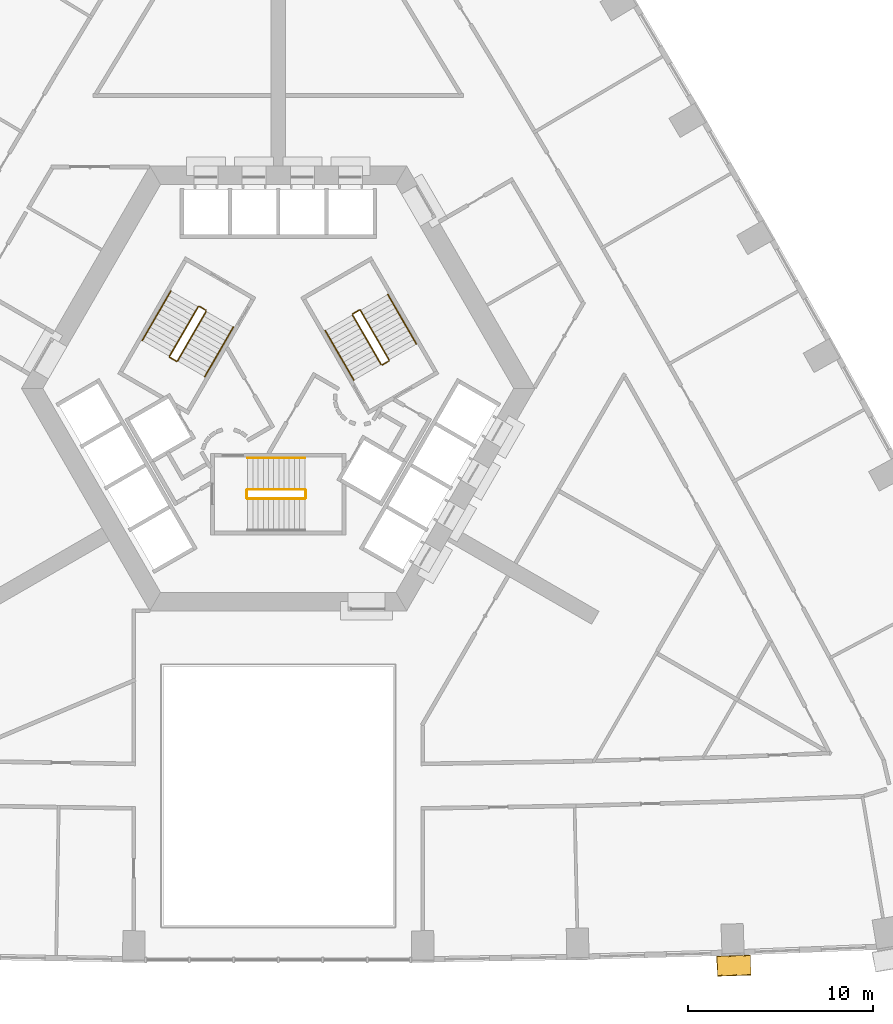
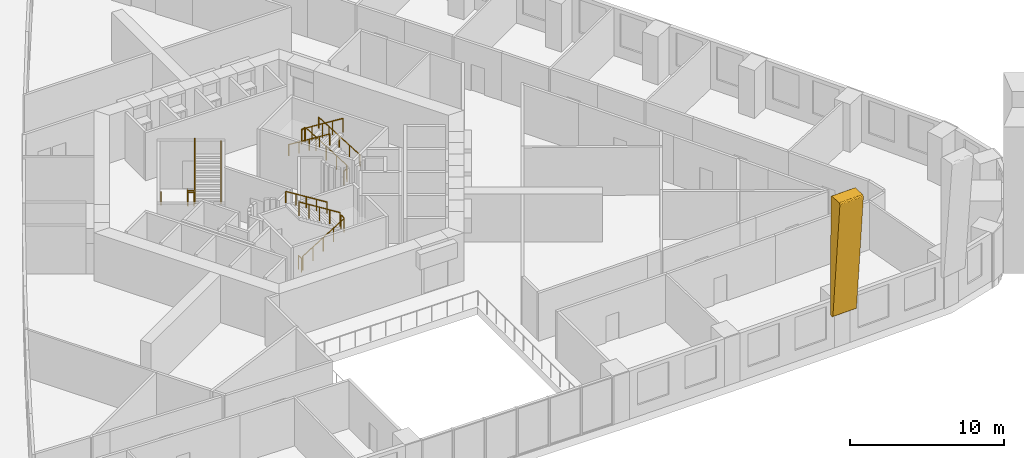
# One storey, part 14 of 15: 17 railings, 1 covering.
"""IFC4 building model written with IfcOpenShell, lengths in metres."""

import ifcopenshell
import ifcopenshell.guid

model = None  # the IFC model being written
_history = None  # IfcOwnerHistory: only IFC2X3 demands one
_inside = {}  # id of a spatial element -> (the spatial element, [elements in it])
_under = {}  # id of a project, library or spatial element -> (it, [spatial elements below it])
_declared = {}  # id of a project -> (the project, [libraries it declares])
_typed = {}  # id of a type object -> (the type object, [elements of that type])
_made_of = {}  # id of a material, layer set ... -> (it, [elements and type objects made of it])


def new_model(schema):
    """Start an empty IFC model of exactly this schema.

    Asked for "IFC4X3", IfcOpenShell would pick the latest addendum, in which some entities
    have other attributes; the version numbers below select the first issue.
    IFC2X3 requires an IfcOwnerHistory on every rooted entity: one is made here for all.
    """
    global model, _history
    if schema == "IFC4X3":
        model = ifcopenshell.file(schema_version=(4, 3, 0, 0))
    else:
        model = ifcopenshell.file(schema=schema)
    _inside.clear()
    _under.clear()
    _declared.clear()
    _typed.clear()
    _made_of.clear()
    _history = None
    if model.schema == "IFC2X3":
        org = make("IfcOrganization", Name="unknown")
        user = make(
            "IfcPersonAndOrganization",
            ThePerson=make("IfcPerson", FamilyName="unknown"),
            TheOrganization=org,
        )
        app = make(
            "IfcApplication",
            ApplicationDeveloper=org,
            Version="unknown",
            ApplicationFullName="unknown",
            ApplicationIdentifier="unknown",
        )
        _history = make(
            "IfcOwnerHistory",
            OwningUser=user,
            OwningApplication=app,
            ChangeAction="ADDED",
            CreationDate=0,
        )
    return model


def make(cls, **values):
    """One entity of the class cls with the attributes given. An attribute that is None is left unset."""
    return model.create_entity(
        cls, **{name: value for name, value in values.items() if value is not None}
    )


def rooted(cls, **values):
    """An entity with a GlobalId (a new one), such as an element, a storey or a relation."""
    return make(cls, GlobalId=ifcopenshell.guid.new(), OwnerHistory=_history, **values)


def si_unit(unit_type, name, prefix=None):
    """IfcSIUnit, for example si_unit("LENGTHUNIT", "METRE", prefix="MILLI")."""
    return make("IfcSIUnit", UnitType=unit_type, Prefix=prefix, Name=name)


def assignment(units):
    """IfcUnitAssignment: the units of a project."""
    return None if units is None else make("IfcUnitAssignment", Units=units)


def point(xyz):
    """IfcCartesianPoint."""
    return None if xyz is None else make("IfcCartesianPoint", Coordinates=xyz)


def direction(xyz):
    """IfcDirection."""
    return None if xyz is None else make("IfcDirection", DirectionRatios=xyz)


def frame(location, z_axis=None, x_axis=None):
    """IfcAxis2Placement3D, a coordinate frame: its origin and axes. An axis left out is left unset."""
    return make(
        "IfcAxis2Placement3D",
        Location=point(location),
        Axis=direction(z_axis),
        RefDirection=direction(x_axis),
    )


def frame_2d(location, x_axis=None):
    """IfcAxis2Placement2D, a coordinate frame in the plane: its origin and x axis."""
    return make(
        "IfcAxis2Placement2D", Location=point(location), RefDirection=direction(x_axis)
    )


def origin():
    """The frame at (0, 0, 0) with its axes left unset."""
    return frame((0.0, 0.0, 0.0))


def origin_2d():
    """The frame at (0, 0) in the plane with its x axis left unset."""
    return frame_2d((0.0, 0.0))


def place(relative_to, where):
    """IfcLocalPlacement: puts the frame where relative to a parent placement (None: the world)."""
    return make(
        "IfcLocalPlacement", PlacementRelTo=relative_to, RelativePlacement=where
    )


def context(
    kind, dimensions, precision=None, world=None, true_north=None, identifier=None
):
    """IfcGeometricRepresentationContext, for example the 3D "Model" context."""
    return make(
        "IfcGeometricRepresentationContext",
        ContextIdentifier=identifier,
        ContextType=kind,
        CoordinateSpaceDimension=dimensions,
        Precision=precision,
        WorldCoordinateSystem=world,
        TrueNorth=true_north,
    )


def subcontext(parent, identifier, kind, view, scale=None):
    """IfcGeometricRepresentationSubContext, for example "Body" below "Model"."""
    return make(
        "IfcGeometricRepresentationSubContext",
        ContextIdentifier=identifier,
        ContextType=kind,
        ParentContext=parent,
        TargetScale=scale,
        TargetView=view,
    )


def project(units=None, contexts=None):
    """IfcProject with its units and contexts."""
    return rooted(
        "IfcProject",
        Name="project",
        RepresentationContexts=contexts,
        UnitsInContext=assignment(units),
    )


def spatial(cls, under=None, at=None, **own):
    """A site, building, storey or space (cls), placed at a placement, below another one or the project."""
    s = rooted(cls, ObjectPlacement=at, **own)
    if under is not None:
        _under.setdefault(under.id(), (under, []))[1].append(s)
    return s


def polyline(points):
    """IfcPolyline through the points."""
    return make("IfcPolyline", Points=[point(p) for p in points])


def profile(cls, at=None, kind="AREA", **sizes):
    """A parametric profile (cls). Its sizes go by their IFC names, for example OverallWidth=200.0."""
    return make(cls, ProfileType=kind, Position=at, **sizes)


def circle(**sizes):
    """IfcCircleProfileDef."""
    return profile("IfcCircleProfileDef", **sizes)


def outline(outer, holes=None, kind="AREA"):
    """IfcArbitraryClosedProfileDef: a profile drawn as a closed curve; with holes, ...WithVoids."""
    if holes is None:
        return make("IfcArbitraryClosedProfileDef", ProfileType=kind, OuterCurve=outer)
    return make(
        "IfcArbitraryProfileDefWithVoids",
        ProfileType=kind,
        OuterCurve=outer,
        InnerCurves=holes,
    )


def extrude(swept, where, along, depth):
    """IfcExtrudedAreaSolid: the profile swept, set in the frame where, extruded along a direction by depth."""
    return make(
        "IfcExtrudedAreaSolid",
        SweptArea=swept,
        Position=where,
        ExtrudedDirection=direction(along),
        Depth=depth,
    )


def shape(context_of_items, identifier, shape_type, items):
    """IfcShapeRepresentation: the items that make up one representation, for example the "Body"."""
    return make(
        "IfcShapeRepresentation",
        ContextOfItems=context_of_items,
        RepresentationIdentifier=identifier,
        RepresentationType=shape_type,
        Items=items,
    )


def material(Name=None, Category=None):
    """IfcMaterial."""
    return make("IfcMaterial", Name=Name, Category=Category)


def made_of(thing, what):
    """Note that an element or type object is made of a material, layer set ...; save() writes the relation."""
    if what is not None:
        _made_of.setdefault(what.id(), (what, []))[1].append(thing)
    return thing


def type_object(cls, material=None, **own):
    """A type object (cls), such as IfcWallType, which elements share."""
    return made_of(rooted(cls, **own), material)


def element(
    cls,
    number,
    at=None,
    inside=None,
    cuts=None,
    type_object=None,
    material=None,
    context=None,
    identifier="Body",
    shape_type=None,
    held_by="IfcProductDefinitionShape",
    body=None,
    shapes=None,
    **own,
):
    """One element of the class cls, such as IfcWall. Its Tag is "e" and its number.

    at: its placement. inside: the storey or other place that contains it. cuts: it is an
    opening in that element (IfcRelVoidsElement). A single representation is given by context,
    identifier, shape_type and body (its items); several are given by shapes. held_by: the class
    of the entity that holds the representations. save() writes the other relations.
    """
    e = rooted(cls, Tag="e%d" % number, ObjectPlacement=at, **own)
    if body is not None:
        shapes = [shape(context, identifier, shape_type, body)]
    if shapes is not None:
        e.Representation = make(held_by, Representations=shapes)
    if inside is not None:
        _inside.setdefault(inside.id(), (inside, []))[1].append(e)
    if cuts is not None:
        rooted(
            "IfcRelVoidsElement", RelatingBuildingElement=cuts, RelatedOpeningElement=e
        )
    if type_object is not None:
        _typed.setdefault(type_object.id(), (type_object, []))[1].append(e)
    return made_of(e, material)


def aggregate(whole, parts):
    """IfcRelAggregates: a whole, such as a stair, and the parts it consists of."""
    return rooted("IfcRelAggregates", RelatingObject=whole, RelatedObjects=parts)


def save(model, path):
    """Write the relations noted so far, then the file.

    IfcRelAggregates (storeys below a building ...), IfcRelContainedInSpatialStructure (elements
    in a storey), IfcRelDefinesByType, IfcRelAssociatesMaterial and IfcRelDeclares: one each for
    every whole, place, type object, material and project.
    """
    for whole, parts in _under.values():
        aggregate(whole, parts)
    for where, things in _inside.values():
        rooted(
            "IfcRelContainedInSpatialStructure",
            RelatedElements=things,
            RelatingStructure=where,
        )
    for kind, things in _typed.values():
        rooted("IfcRelDefinesByType", RelatedObjects=things, RelatingType=kind)
    for what, things in _made_of.values():
        rooted("IfcRelAssociatesMaterial", RelatedObjects=things, RelatingMaterial=what)
    for by, libraries in _declared.values():
        rooted("IfcRelDeclares", RelatingContext=by, RelatedDefinitions=libraries)
    model.write(path)


model = new_model("IFC4")

# Units and contexts
model_context = context("Model", 3, precision=1e-05, world=origin(), true_north=direction((0.0, 1.0)))
body_context = subcontext(model_context, "Body", "Model", "MODEL_VIEW")
ifc_project = project(units=[si_unit("LENGTHUNIT", "METRE"), si_unit("AREAUNIT", "SQUARE_METRE"), si_unit("VOLUMEUNIT", "CUBIC_METRE"), si_unit("PLANEANGLEUNIT", "RADIAN"), si_unit("MASSUNIT", "GRAM", prefix="KILO")], contexts=[model_context])

# Site, building, storey
site_placement = place(None, origin())
site = spatial("IfcSite", under=ifc_project, at=site_placement, CompositionType="ELEMENT")
building_placement = place(site_placement, origin())
building = spatial("IfcBuilding", under=site, at=building_placement, Name="Entoto Arch Interchange Tower", CompositionType="ELEMENT")
storey_placement = place(building_placement, frame((0.0, 0.0, 35.0)))
storey = spatial("IfcBuildingStorey", under=building, at=storey_placement, Name="L06", CompositionType="ELEMENT", Elevation=35.0)

# Covering
ifc_material_1 = material(Name="Board-marked precast concrete C50/60", Category="concrete")
covering_type = type_object("IfcCoveringType", Name="PRECAST FRAME COURSE", PredefinedType="CLADDING", material=ifc_material_1)
covering_placement = place(storey_placement, frame((23.65087890625, -28.4169921875, 2.824951171875), z_axis=(-0.999435657328, -0.033454654837, 0.003025381292), x_axis=(-0.009833816574, 0.205276777745, -0.978654556302)))
element("IfcCovering", 1, at=covering_placement, inside=storey, type_object=covering_type, Name="Fold rib S07 L06-L08", PredefinedType="CLADDING", context=body_context, shape_type="SweptSolid", body=[
    extrude(outline(polyline([(0.0, 0.0), (0.029685500889535157, -8.673617379884035e-19), (0.058232569116591644, -0.005258917851557356), (0.09891605252478361, -0.02317834248213062), (0.1220341563357185, -0.04179410501923717), (0.14105404705184874, -0.06348091699590938), (0.1558177710810015, -0.08983465926671151), (0.16465837813510614, -0.11768141422472045), (0.1677646811483805, -0.14673221167241232), (0.16585346812592835, -0.17683654629857676), (0.15755643785202839, -0.20504050052852496), (0.14369061113341786, -0.23167117257195421), (0.125845468239926, -0.25361886042139103), (0.10319638397509301, -0.2728687520030639), (0.0765679835353787, -0.2874356593907444), (0.0490258352119141, -0.2964599578509179), (-8.981343148175752, -2.1916319172768532), (-9.024694231838454, -2.189514809232494), (-9.053176025271025, -2.181000963183827), (-9.079293880023899, -2.168284267755293), (-9.102701029570685, -2.1494798718948025), (-9.121644344324853, -2.1269872778136354), (-9.140280140278014, -2.086952340475944), (-9.311751460558174, -1.2703115755635899), (-9.312745863287903, -1.241814637661152), (-9.307556963702005, -1.213050062582627), (-9.295955787303512, -1.1851412840353697), (-9.280482730034146, -1.161414361129559), (-9.260525686857111, -1.1400205328253763), (-9.236319488442337, -1.1234355886208685), (-9.209089691192824, -1.111734302358633), (-9.181096495262008, -1.1048592197425438), (0.0, 0.0)])), origin(), (0.0, 0.0, -1.0), 1.800048828125),
])

# Railings
ifc_material_2 = material(Name="Stainless steel 1.4301", Category="steel")
railing_type_1 = type_object("IfcRailingType", Name="STAIR GUARD 1100 STEEL", PredefinedType="GUARDRAIL", material=ifc_material_2)
railing_1_placement = place(storey_placement, frame((-1.64990234375, -3.449951171875, 0.175048828125)))
element("IfcRailing", 2, at=railing_1_placement, inside=storey, type_object=railing_type_1, Name="L06 ST-S stair guard 1", PredefinedType="GUARDRAIL", context=body_context, shape_type="SweptSolid", body=[
    extrude(circle(Radius=0.02392578125, at=origin_2d()), frame((0.0, 0.0, 1.076171875), z_axis=(0.847979421464, 0.0, 0.530029150871), x_axis=(0.0, 1.0, 0.0)), (0.0, 0.0, 1.0), 3.632080078125),
    extrude(circle(Radius=0.02099609375, at=origin_2d()), origin(), (0.0, 0.0, 1.0), 1.052001953125),
    extrude(circle(Radius=0.02099609375, at=origin_2d()), frame((0.77001953125, 0.0, 0.481201171875)), (0.0, 0.0, 1.0), 1.052001953125),
    extrude(circle(Radius=0.02099609375, at=origin_2d()), frame((1.5400390625, 0.0, 0.96240234375)), (0.0, 0.0, 1.0), 1.052001953125),
    extrude(circle(Radius=0.02099609375, at=origin_2d()), frame((2.309814453125, 0.0, 1.44384765625)), (0.0, 0.0, 1.0), 1.052001953125),
    extrude(circle(Radius=0.02099609375, at=origin_2d()), frame((3.079833984375, 0.0, 1.925048828125)), (0.0, 0.0, 1.0), 1.052001953125),
])
railing_2_placement = place(storey_placement, frame((1.47998046875, -3.39990234375, 2.10009765625)))
element("IfcRailing", 3, at=railing_2_placement, inside=storey, type_object=railing_type_1, Name="L06 ST-S stair guard 2", PredefinedType="GUARDRAIL", context=body_context, shape_type="SweptSolid", body=[
    extrude(circle(Radius=0.02392578125, at=origin_2d()), frame((0.0, 0.0, 1.076171875), z_axis=(0.0, 1.0, 0.0), x_axis=(-1.0, 0.0, 0.0)), (0.0, 0.0, 1.0), 0.39990234375),
    extrude(circle(Radius=0.02099609375, at=origin_2d()), origin(), (0.0, 0.0, 1.0), 1.052001953125),
    extrude(circle(Radius=0.02099609375, at=origin_2d()), frame((0.0, 0.39990234375, 0.0)), (0.0, 0.0, 1.0), 1.052001953125),
])
railing_3_placement = place(storey_placement, frame((1.429931640625, -2.949951171875, 2.27490234375)))
element("IfcRailing", 4, at=railing_3_placement, inside=storey, type_object=railing_type_1, Name="L06 ST-S stair guard 3", PredefinedType="GUARDRAIL", context=body_context, shape_type="SweptSolid", body=[
    extrude(circle(Radius=0.02392578125, at=origin_2d()), frame((0.0, 0.0, 1.076171875), z_axis=(-0.847979421464, 0.0, 0.530029150871), x_axis=(0.0, -1.0, 0.0)), (0.0, 0.0, 1.0), 3.632080078125),
    extrude(circle(Radius=0.02099609375, at=origin_2d()), origin(), (0.0, 0.0, 1.0), 1.052001953125),
    extrude(circle(Radius=0.02099609375, at=origin_2d()), frame((-0.77001953125, 0.0, 0.481201171875)), (0.0, 0.0, 1.0), 1.052001953125),
    extrude(circle(Radius=0.02099609375, at=origin_2d()), frame((-1.5400390625, 0.0, 0.96240234375)), (0.0, 0.0, 1.0), 1.052001953125),
    extrude(circle(Radius=0.02099609375, at=origin_2d()), frame((-2.309814453125, 0.0, 1.44384765625)), (0.0, 0.0, 1.0), 1.052001953125),
    extrude(circle(Radius=0.02099609375, at=origin_2d()), frame((-3.079833984375, 0.0, 1.925048828125)), (0.0, 0.0, 1.0), 1.052001953125),
])
railing_4_placement = place(storey_placement, frame((-1.699951171875, -3.39990234375, 0.0)))
element("IfcRailing", 5, at=railing_4_placement, inside=storey, type_object=railing_type_1, Name="L06 ST-S stair guard 4", PredefinedType="GUARDRAIL", context=body_context, shape_type="SweptSolid", body=[
    extrude(circle(Radius=0.02392578125, at=origin_2d()), frame((0.0, 0.0, 1.076171875), z_axis=(0.0, 1.0, 0.0), x_axis=(-1.0, 0.0, 0.0)), (0.0, 0.0, 1.0), 0.39990234375),
    extrude(circle(Radius=0.02099609375, at=origin_2d()), origin(), (0.0, 0.0, 1.0), 1.052001953125),
    extrude(circle(Radius=0.02099609375, at=origin_2d()), frame((0.0, 0.39990234375, 0.0)), (0.0, 0.0, 1.0), 1.052001953125),
])
railing_5_placement = place(storey_placement, frame((5.977783203125, 4.046142578125, 0.175048828125)))
element("IfcRailing", 6, at=railing_5_placement, inside=storey, type_object=railing_type_1, Name="L06 ST-NE stair guard 1", PredefinedType="GUARDRAIL", context=body_context, shape_type="SweptSolid", body=[
    extrude(circle(Radius=0.02392578125, at=origin_2d()), frame((0.0, 0.0, 1.076171875), z_axis=(-0.424015404183, 0.734364028329, 0.530019255228), x_axis=(-0.866010015463, -0.500026652407, 0.0)), (0.0, 0.0, 1.0), 3.632080078125),
    extrude(circle(Radius=0.02099609375, at=origin_2d()), origin(), (0.0, 0.0, 1.0), 1.052001953125),
    extrude(circle(Radius=0.02099609375, at=origin_2d()), frame((-0.385009765625, 0.666748046875, 0.481201171875)), (0.0, 0.0, 1.0), 1.052001953125),
    extrude(circle(Radius=0.02099609375, at=origin_2d()), frame((-0.77001953125, 1.33349609375, 0.96240234375)), (0.0, 0.0, 1.0), 1.052001953125),
    extrude(circle(Radius=0.02099609375, at=origin_2d()), frame((-1.155029296875, 2.00048828125, 1.44384765625)), (0.0, 0.0, 1.0), 1.052001953125),
    extrude(circle(Radius=0.02099609375, at=origin_2d()), frame((-1.5400390625, 2.667236328125, 1.925048828125)), (0.0, 0.0, 1.0), 1.052001953125),
])
railing_6_placement = place(storey_placement, frame((4.36962890625, 6.731689453125, 2.10009765625)))
element("IfcRailing", 7, at=railing_6_placement, inside=storey, type_object=railing_type_1, Name="L06 ST-NE stair guard 2", PredefinedType="GUARDRAIL", context=body_context, shape_type="SweptSolid", body=[
    extrude(circle(Radius=0.02392578125, at=origin_2d()), frame((0.0, 0.0, 1.076171875), z_axis=(-0.866094119867, -0.499880961361, 0.0), x_axis=(0.499880961361, -0.866094119867, 0.0)), (0.0, 0.0, 1.0), 0.39990234375),
    extrude(circle(Radius=0.02099609375, at=origin_2d()), origin(), (0.0, 0.0, 1.0), 1.052001953125),
    extrude(circle(Radius=0.02099609375, at=origin_2d()), frame((-0.346435546875, -0.199951171875, 0.0)), (0.0, 0.0, 1.0), 1.052001953125),
])
railing_7_placement = place(storey_placement, frame((4.0048828125, 6.46337890625, 2.27490234375)))
element("IfcRailing", 8, at=railing_7_placement, inside=storey, type_object=railing_type_1, Name="L06 ST-NE stair guard 3", PredefinedType="GUARDRAIL", context=body_context, shape_type="SweptSolid", body=[
    extrude(circle(Radius=0.02392578125, at=origin_2d()), frame((0.0, 0.0, 1.076171875), z_axis=(0.424015404183, -0.734364028329, 0.530019255228), x_axis=(0.866010015463, 0.500026652407, 0.0)), (0.0, 0.0, 1.0), 3.632080078125),
    extrude(circle(Radius=0.02099609375, at=origin_2d()), origin(), (0.0, 0.0, 1.0), 1.052001953125),
    extrude(circle(Radius=0.02099609375, at=origin_2d()), frame((0.385009765625, -0.666748046875, 0.481201171875)), (0.0, 0.0, 1.0), 1.052001953125),
    extrude(circle(Radius=0.02099609375, at=origin_2d()), frame((0.77001953125, -1.33349609375, 0.96240234375)), (0.0, 0.0, 1.0), 1.052001953125),
    extrude(circle(Radius=0.02099609375, at=origin_2d()), frame((1.155029296875, -2.00048828125, 1.44384765625)), (0.0, 0.0, 1.0), 1.052001953125),
    extrude(circle(Radius=0.02099609375, at=origin_2d()), frame((1.5400390625, -2.667236328125, 1.925048828125)), (0.0, 0.0, 1.0), 1.052001953125),
])
railing_8_placement = place(storey_placement, frame((5.95947265625, 3.977783203125, 0.0)))
element("IfcRailing", 9, at=railing_8_placement, inside=storey, type_object=railing_type_1, Name="L06 ST-NE stair guard 4", PredefinedType="GUARDRAIL", context=body_context, shape_type="SweptSolid", body=[
    extrude(circle(Radius=0.02392578125, at=origin_2d()), frame((0.0, 0.0, 1.076171875), z_axis=(-0.866094119867, -0.499880961361, 0.0), x_axis=(0.499880961361, -0.866094119867, 0.0)), (0.0, 0.0, 1.0), 0.39990234375),
    extrude(circle(Radius=0.02099609375, at=origin_2d()), origin(), (0.0, 0.0, 1.0), 1.052001953125),
    extrude(circle(Radius=0.02099609375, at=origin_2d()), frame((-0.346435546875, -0.199951171875, 0.0)), (0.0, 0.0, 1.0), 1.052001953125),
])
railing_9_placement = place(storey_placement, frame((-4.327880859375, 6.904052734375, 0.175048828125)))
element("IfcRailing", 10, at=railing_9_placement, inside=storey, type_object=railing_type_1, Name="L06 ST-NW stair guard 1", PredefinedType="GUARDRAIL", context=body_context, shape_type="SweptSolid", body=[
    extrude(circle(Radius=0.02392578125, at=origin_2d()), frame((0.0, 0.0, 1.076171875), z_axis=(-0.423994474112, -0.734394994316, 0.52999309264), x_axis=(0.866029832698, -0.499992328818, 0.0)), (0.0, 0.0, 1.0), 3.63232421875),
    extrude(circle(Radius=0.02099609375, at=origin_2d()), origin(), (0.0, 0.0, 1.0), 1.052001953125),
    extrude(circle(Radius=0.02099609375, at=origin_2d()), frame((-0.385009765625, -0.6669921875, 0.481201171875)), (0.0, 0.0, 1.0), 1.052001953125),
    extrude(circle(Radius=0.02099609375, at=origin_2d()), frame((-0.77001953125, -1.333740234375, 0.96240234375)), (0.0, 0.0, 1.0), 1.052001953125),
    extrude(circle(Radius=0.02099609375, at=origin_2d()), frame((-1.155029296875, -2.00048828125, 1.44384765625)), (0.0, 0.0, 1.0), 1.052001953125),
    extrude(circle(Radius=0.02099609375, at=origin_2d()), frame((-1.5400390625, -2.66748046875, 1.925048828125)), (0.0, 0.0, 1.0), 1.052001953125),
])
railing_10_placement = place(storey_placement, frame((-5.849609375, 4.168212890625, 2.10009765625)))
element("IfcRailing", 11, at=railing_10_placement, inside=storey, type_object=railing_type_1, Name="L06 ST-NW stair guard 2", PredefinedType="GUARDRAIL", context=body_context, shape_type="SweptSolid", body=[
    extrude(circle(Radius=0.02392578125, at=origin_2d()), frame((0.0, 0.0, 1.076171875), z_axis=(0.866094119867, -0.499880961361, 0.0), x_axis=(0.499880961361, 0.866094119867, 0.0)), (0.0, 0.0, 1.0), 0.39990234375),
    extrude(circle(Radius=0.02099609375, at=origin_2d()), origin(), (0.0, 0.0, 1.0), 1.052001953125),
    extrude(circle(Radius=0.02099609375, at=origin_2d()), frame((0.346435546875, -0.199951171875, 0.0)), (0.0, 0.0, 1.0), 1.052001953125),
])
railing_11_placement = place(storey_placement, frame((-5.434814453125, 3.986572265625, 2.27490234375)))
element("IfcRailing", 12, at=railing_11_placement, inside=storey, type_object=railing_type_1, Name="L06 ST-NW stair guard 3", PredefinedType="GUARDRAIL", context=body_context, shape_type="SweptSolid", body=[
    extrude(circle(Radius=0.02392578125, at=origin_2d()), frame((0.0, 0.0, 1.076171875), z_axis=(0.423994474112, 0.734394994316, 0.52999309264), x_axis=(-0.866029832698, 0.499992328818, 0.0)), (0.0, 0.0, 1.0), 3.63232421875),
    extrude(circle(Radius=0.02099609375, at=origin_2d()), origin(), (0.0, 0.0, 1.0), 1.052001953125),
    extrude(circle(Radius=0.02099609375, at=origin_2d()), frame((0.385009765625, 0.6669921875, 0.481201171875)), (0.0, 0.0, 1.0), 1.052001953125),
    extrude(circle(Radius=0.02099609375, at=origin_2d()), frame((0.77001953125, 1.333740234375, 0.96240234375)), (0.0, 0.0, 1.0), 1.052001953125),
    extrude(circle(Radius=0.02099609375, at=origin_2d()), frame((1.155029296875, 2.00048828125, 1.44384765625)), (0.0, 0.0, 1.0), 1.052001953125),
    extrude(circle(Radius=0.02099609375, at=origin_2d()), frame((1.5400390625, 2.66748046875, 1.925048828125)), (0.0, 0.0, 1.0), 1.052001953125),
])
railing_12_placement = place(storey_placement, frame((-4.259521484375, 6.92236328125, 0.0)))
element("IfcRailing", 13, at=railing_12_placement, inside=storey, type_object=railing_type_1, Name="L06 ST-NW stair guard 4", PredefinedType="GUARDRAIL", context=body_context, shape_type="SweptSolid", body=[
    extrude(circle(Radius=0.02392578125, at=origin_2d()), frame((0.0, 0.0, 1.076171875), z_axis=(0.865829829939, -0.500338590944, 0.0), x_axis=(0.500338590944, 0.865829829939, 0.0)), (0.0, 0.0, 1.0), 0.400146484375),
    extrude(circle(Radius=0.02099609375, at=origin_2d()), origin(), (0.0, 0.0, 1.0), 1.052001953125),
    extrude(circle(Radius=0.02099609375, at=origin_2d()), frame((0.346435546875, -0.2001953125, 0.0)), (0.0, 0.0, 1.0), 1.052001953125),
])
railing_type_2 = type_object("IfcRailingType", Name="STAIR HANDRAIL 900 STEEL", PredefinedType="HANDRAIL", material=ifc_material_2)
railing_13_placement = place(storey_placement, frame((1.429931640625, -1.25, 2.27490234375)))
element("IfcRailing", 14, at=railing_13_placement, inside=storey, type_object=railing_type_2, Name="L06 ST-S stair handrail 2", PredefinedType="HANDRAIL", context=body_context, shape_type="SweptSolid", body=[
    extrude(circle(Radius=0.02392578125, at=origin_2d()), frame((0.0, 0.0, 0.8759765625), z_axis=(-0.847979421464, 0.0, 0.530029150871), x_axis=(0.0, -1.0, 0.0)), (0.0, 0.0, 1.0), 3.632080078125),
    extrude(circle(Radius=0.02099609375, at=origin_2d()), origin(), (0.0, 0.0, 1.0), 0.851806640625),
    extrude(circle(Radius=0.02099609375, at=origin_2d()), frame((-0.77001953125, 0.0, 0.481201171875)), (0.0, 0.0, 1.0), 0.851806640625),
    extrude(circle(Radius=0.02099609375, at=origin_2d()), frame((-1.5400390625, 0.0, 0.96240234375)), (0.0, 0.0, 1.0), 0.851806640625),
    extrude(circle(Radius=0.02099609375, at=origin_2d()), frame((-2.309814453125, 0.0, 1.44384765625)), (0.0, 0.0, 1.0), 0.851806640625),
    extrude(circle(Radius=0.02099609375, at=origin_2d()), frame((-3.079833984375, 0.0, 1.925048828125)), (0.0, 0.0, 1.0), 0.851806640625),
])
railing_14_placement = place(storey_placement, frame((7.4501953125, 4.89599609375, 0.175048828125)))
element("IfcRailing", 15, at=railing_14_placement, inside=storey, type_object=railing_type_2, Name="L06 ST-NE stair handrail 1", PredefinedType="HANDRAIL", context=body_context, shape_type="SweptSolid", body=[
    extrude(circle(Radius=0.02392578125, at=origin_2d()), frame((0.0, 0.0, 0.8759765625), z_axis=(-0.423994474112, 0.734394994316, 0.52999309264), x_axis=(-0.866029832698, -0.499992328818, 0.0)), (0.0, 0.0, 1.0), 3.63232421875),
    extrude(circle(Radius=0.02099609375, at=origin_2d()), origin(), (0.0, 0.0, 1.0), 0.851806640625),
    extrude(circle(Radius=0.02099609375, at=origin_2d()), frame((-0.385009765625, 0.6669921875, 0.481201171875)), (0.0, 0.0, 1.0), 0.851806640625),
    extrude(circle(Radius=0.02099609375, at=origin_2d()), frame((-0.77001953125, 1.333740234375, 0.96240234375)), (0.0, 0.0, 1.0), 0.851806640625),
    extrude(circle(Radius=0.02099609375, at=origin_2d()), frame((-1.155029296875, 2.00048828125, 1.44384765625)), (0.0, 0.0, 1.0), 0.851806640625),
    extrude(circle(Radius=0.02099609375, at=origin_2d()), frame((-1.5400390625, 2.66748046875, 1.925048828125)), (0.0, 0.0, 1.0), 0.851806640625),
])
railing_15_placement = place(storey_placement, frame((2.53271484375, 5.613525390625, 2.27490234375)))
element("IfcRailing", 16, at=railing_15_placement, inside=storey, type_object=railing_type_2, Name="L06 ST-NE stair handrail 2", PredefinedType="HANDRAIL", context=body_context, shape_type="SweptSolid", body=[
    extrude(circle(Radius=0.02392578125, at=origin_2d()), frame((0.0, 0.0, 0.8759765625), z_axis=(0.423939339791, -0.734415923031, 0.53000819633), x_axis=(0.866064153644, 0.499932877268, 0.0)), (0.0, 0.0, 1.0), 3.632080078125),
    extrude(circle(Radius=0.02099609375, at=origin_2d()), origin(), (0.0, 0.0, 1.0), 0.851806640625),
    extrude(circle(Radius=0.02099609375, at=origin_2d()), frame((0.385009765625, -0.6669921875, 0.481201171875)), (0.0, 0.0, 1.0), 0.851806640625),
    extrude(circle(Radius=0.02099609375, at=origin_2d()), frame((0.77001953125, -1.333740234375, 0.96240234375)), (0.0, 0.0, 1.0), 0.851806640625),
    extrude(circle(Radius=0.02099609375, at=origin_2d()), frame((1.15478515625, -2.00048828125, 1.44384765625)), (0.0, 0.0, 1.0), 0.851806640625),
    extrude(circle(Radius=0.02099609375, at=origin_2d()), frame((1.539794921875, -2.66748046875, 1.925048828125)), (0.0, 0.0, 1.0), 0.851806640625),
])
railing_16_placement = place(storey_placement, frame((-5.800048828125, 7.75390625, 0.175048828125)))
element("IfcRailing", 17, at=railing_16_placement, inside=storey, type_object=railing_type_2, Name="L06 ST-NW stair handrail 1", PredefinedType="HANDRAIL", context=body_context, shape_type="SweptSolid", body=[
    extrude(circle(Radius=0.02392578125, at=origin_2d()), frame((0.0, 0.0, 0.8759765625), z_axis=(-0.424015404183, -0.734364028329, 0.530019255228), x_axis=(0.866010015463, -0.500026652407, 0.0)), (0.0, 0.0, 1.0), 3.632080078125),
    extrude(circle(Radius=0.02099609375, at=origin_2d()), origin(), (0.0, 0.0, 1.0), 0.851806640625),
    extrude(circle(Radius=0.02099609375, at=origin_2d()), frame((-0.385009765625, -0.666748046875, 0.481201171875)), (0.0, 0.0, 1.0), 0.851806640625),
    extrude(circle(Radius=0.02099609375, at=origin_2d()), frame((-0.77001953125, -1.33349609375, 0.96240234375)), (0.0, 0.0, 1.0), 0.851806640625),
    extrude(circle(Radius=0.02099609375, at=origin_2d()), frame((-1.155029296875, -2.00048828125, 1.44384765625)), (0.0, 0.0, 1.0), 0.851806640625),
    extrude(circle(Radius=0.02099609375, at=origin_2d()), frame((-1.5400390625, -2.667236328125, 1.925048828125)), (0.0, 0.0, 1.0), 0.851806640625),
])
railing_17_placement = place(storey_placement, frame((-3.962646484375, 3.136474609375, 2.27490234375)))
element("IfcRailing", 18, at=railing_17_placement, inside=storey, type_object=railing_type_2, Name="L06 ST-NW stair handrail 2", PredefinedType="HANDRAIL", context=body_context, shape_type="SweptSolid", body=[
    extrude(circle(Radius=0.02392578125, at=origin_2d()), frame((0.0, 0.0, 0.8759765625), z_axis=(0.423994474112, 0.734394994316, 0.52999309264), x_axis=(-0.866029832698, 0.499992328818, 0.0)), (0.0, 0.0, 1.0), 3.63232421875),
    extrude(circle(Radius=0.02099609375, at=origin_2d()), origin(), (0.0, 0.0, 1.0), 0.851806640625),
    extrude(circle(Radius=0.02099609375, at=origin_2d()), frame((0.385009765625, 0.6669921875, 0.481201171875)), (0.0, 0.0, 1.0), 0.851806640625),
    extrude(circle(Radius=0.02099609375, at=origin_2d()), frame((0.77001953125, 1.333740234375, 0.96240234375)), (0.0, 0.0, 1.0), 0.851806640625),
    extrude(circle(Radius=0.02099609375, at=origin_2d()), frame((1.155029296875, 2.00048828125, 1.44384765625)), (0.0, 0.0, 1.0), 0.851806640625),
    extrude(circle(Radius=0.02099609375, at=origin_2d()), frame((1.5400390625, 2.66748046875, 1.925048828125)), (0.0, 0.0, 1.0), 0.851806640625),
])

save(model, "model.ifc")
